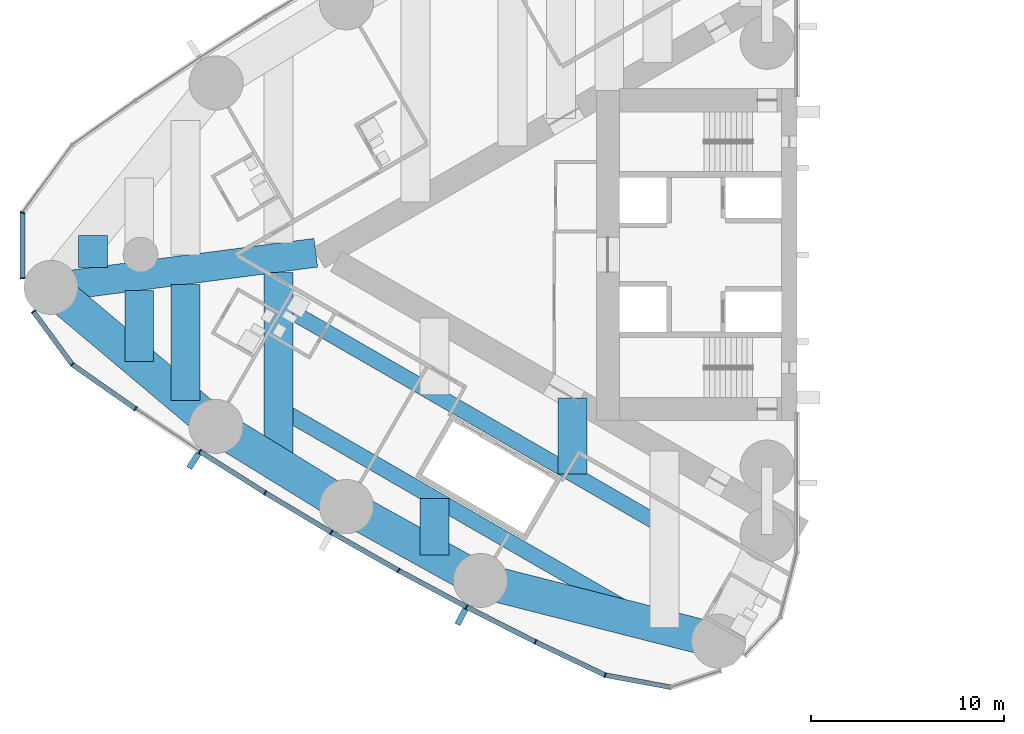
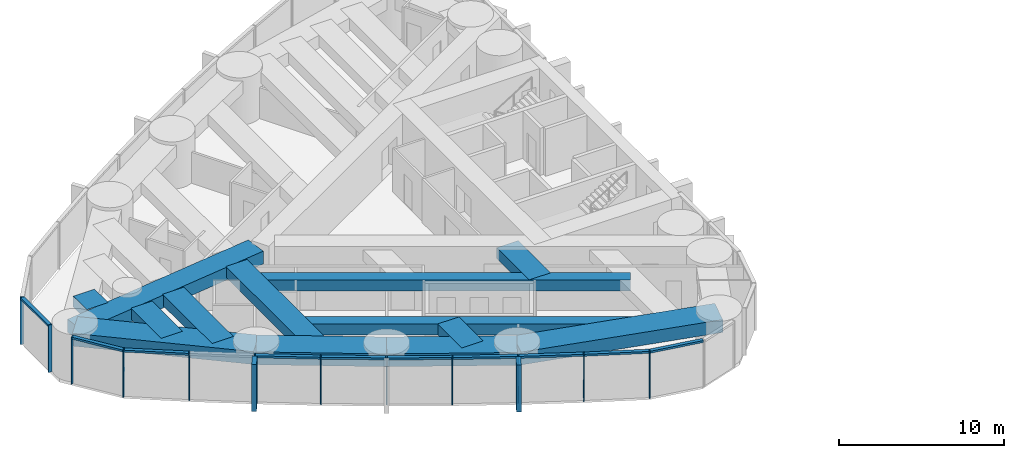
# One storey, part 2 of 18: 24 members, 13 beams, 2 elements without a shape of their own.
"""IFC4 building model written with IfcOpenShell, lengths in metres."""

import ifcopenshell
import ifcopenshell.guid

model = None  # the IFC model being written
_history = None  # IfcOwnerHistory: only IFC2X3 demands one
_inside = {}  # id of a spatial element -> (the spatial element, [elements in it])
_under = {}  # id of a project, library or spatial element -> (it, [spatial elements below it])
_declared = {}  # id of a project -> (the project, [libraries it declares])
_typed = {}  # id of a type object -> (the type object, [elements of that type])
_made_of = {}  # id of a material, layer set ... -> (it, [elements and type objects made of it])


def new_model(schema):
    """Start an empty IFC model of exactly this schema.

    Asked for "IFC4X3", IfcOpenShell would pick the latest addendum, in which some entities
    have other attributes; the version numbers below select the first issue.
    IFC2X3 requires an IfcOwnerHistory on every rooted entity: one is made here for all.
    """
    global model, _history
    if schema == "IFC4X3":
        model = ifcopenshell.file(schema_version=(4, 3, 0, 0))
    else:
        model = ifcopenshell.file(schema=schema)
    _inside.clear()
    _under.clear()
    _declared.clear()
    _typed.clear()
    _made_of.clear()
    _history = None
    if model.schema == "IFC2X3":
        org = make("IfcOrganization", Name="unknown")
        user = make(
            "IfcPersonAndOrganization",
            ThePerson=make("IfcPerson", FamilyName="unknown"),
            TheOrganization=org,
        )
        app = make(
            "IfcApplication",
            ApplicationDeveloper=org,
            Version="unknown",
            ApplicationFullName="unknown",
            ApplicationIdentifier="unknown",
        )
        _history = make(
            "IfcOwnerHistory",
            OwningUser=user,
            OwningApplication=app,
            ChangeAction="ADDED",
            CreationDate=0,
        )
    return model


def make(cls, **values):
    """One entity of the class cls with the attributes given. An attribute that is None is left unset."""
    return model.create_entity(
        cls, **{name: value for name, value in values.items() if value is not None}
    )


def rooted(cls, **values):
    """An entity with a GlobalId (a new one), such as an element, a storey or a relation."""
    return make(cls, GlobalId=ifcopenshell.guid.new(), OwnerHistory=_history, **values)


def si_unit(unit_type, name, prefix=None):
    """IfcSIUnit, for example si_unit("LENGTHUNIT", "METRE", prefix="MILLI")."""
    return make("IfcSIUnit", UnitType=unit_type, Prefix=prefix, Name=name)


def assignment(units):
    """IfcUnitAssignment: the units of a project."""
    return None if units is None else make("IfcUnitAssignment", Units=units)


def point(xyz):
    """IfcCartesianPoint."""
    return None if xyz is None else make("IfcCartesianPoint", Coordinates=xyz)


def direction(xyz):
    """IfcDirection."""
    return None if xyz is None else make("IfcDirection", DirectionRatios=xyz)


def frame(location, z_axis=None, x_axis=None):
    """IfcAxis2Placement3D, a coordinate frame: its origin and axes. An axis left out is left unset."""
    return make(
        "IfcAxis2Placement3D",
        Location=point(location),
        Axis=direction(z_axis),
        RefDirection=direction(x_axis),
    )


def frame_2d(location, x_axis=None):
    """IfcAxis2Placement2D, a coordinate frame in the plane: its origin and x axis."""
    return make(
        "IfcAxis2Placement2D", Location=point(location), RefDirection=direction(x_axis)
    )


def origin():
    """The frame at (0, 0, 0) with its axes left unset."""
    return frame((0.0, 0.0, 0.0))


def origin_2d():
    """The frame at (0, 0) in the plane with its x axis left unset."""
    return frame_2d((0.0, 0.0))


def place(relative_to, where):
    """IfcLocalPlacement: puts the frame where relative to a parent placement (None: the world)."""
    return make(
        "IfcLocalPlacement", PlacementRelTo=relative_to, RelativePlacement=where
    )


def context(
    kind, dimensions, precision=None, world=None, true_north=None, identifier=None
):
    """IfcGeometricRepresentationContext, for example the 3D "Model" context."""
    return make(
        "IfcGeometricRepresentationContext",
        ContextIdentifier=identifier,
        ContextType=kind,
        CoordinateSpaceDimension=dimensions,
        Precision=precision,
        WorldCoordinateSystem=world,
        TrueNorth=true_north,
    )


def subcontext(parent, identifier, kind, view, scale=None):
    """IfcGeometricRepresentationSubContext, for example "Body" below "Model"."""
    return make(
        "IfcGeometricRepresentationSubContext",
        ContextIdentifier=identifier,
        ContextType=kind,
        ParentContext=parent,
        TargetScale=scale,
        TargetView=view,
    )


def project(units=None, contexts=None):
    """IfcProject with its units and contexts."""
    return rooted(
        "IfcProject",
        Name="project",
        RepresentationContexts=contexts,
        UnitsInContext=assignment(units),
    )


def spatial(cls, under=None, at=None, **own):
    """A site, building, storey or space (cls), placed at a placement, below another one or the project."""
    s = rooted(cls, ObjectPlacement=at, **own)
    if under is not None:
        _under.setdefault(under.id(), (under, []))[1].append(s)
    return s


def profile(cls, at=None, kind="AREA", **sizes):
    """A parametric profile (cls). Its sizes go by their IFC names, for example OverallWidth=200.0."""
    return make(cls, ProfileType=kind, Position=at, **sizes)


def rectangle(**sizes):
    """IfcRectangleProfileDef."""
    return profile("IfcRectangleProfileDef", **sizes)


def hollow_rectangle(**sizes):
    """IfcRectangleHollowProfileDef."""
    return profile("IfcRectangleHollowProfileDef", **sizes)


def extrude(swept, where, along, depth):
    """IfcExtrudedAreaSolid: the profile swept, set in the frame where, extruded along a direction by depth."""
    return make(
        "IfcExtrudedAreaSolid",
        SweptArea=swept,
        Position=where,
        ExtrudedDirection=direction(along),
        Depth=depth,
    )


def shape(context_of_items, identifier, shape_type, items):
    """IfcShapeRepresentation: the items that make up one representation, for example the "Body"."""
    return make(
        "IfcShapeRepresentation",
        ContextOfItems=context_of_items,
        RepresentationIdentifier=identifier,
        RepresentationType=shape_type,
        Items=items,
    )


def material(Name=None, Category=None):
    """IfcMaterial."""
    return make("IfcMaterial", Name=Name, Category=Category)


def material_profile(
    of_material, cross_section, Name=None, Category=None, Priority=None
):
    """IfcMaterialProfile: a cross section and its material."""
    return make(
        "IfcMaterialProfile",
        Name=Name,
        Material=of_material,
        Profile=cross_section,
        Priority=Priority,
        Category=Category,
    )


def profile_set(profiles, Name=None, composite=None):
    """IfcMaterialProfileSet."""
    return make(
        "IfcMaterialProfileSet",
        Name=Name,
        MaterialProfiles=profiles,
        CompositeProfile=composite,
    )


def made_of(thing, what):
    """Note that an element or type object is made of a material, layer set ...; save() writes the relation."""
    if what is not None:
        _made_of.setdefault(what.id(), (what, []))[1].append(thing)
    return thing


def type_object(cls, material=None, **own):
    """A type object (cls), such as IfcWallType, which elements share."""
    return made_of(rooted(cls, **own), material)


def element(
    cls,
    number,
    at=None,
    inside=None,
    cuts=None,
    type_object=None,
    material=None,
    context=None,
    identifier="Body",
    shape_type=None,
    held_by="IfcProductDefinitionShape",
    body=None,
    shapes=None,
    **own,
):
    """One element of the class cls, such as IfcWall. Its Tag is "e" and its number.

    at: its placement. inside: the storey or other place that contains it. cuts: it is an
    opening in that element (IfcRelVoidsElement). A single representation is given by context,
    identifier, shape_type and body (its items); several are given by shapes. held_by: the class
    of the entity that holds the representations. save() writes the other relations.
    """
    e = rooted(cls, Tag="e%d" % number, ObjectPlacement=at, **own)
    if body is not None:
        shapes = [shape(context, identifier, shape_type, body)]
    if shapes is not None:
        e.Representation = make(held_by, Representations=shapes)
    if inside is not None:
        _inside.setdefault(inside.id(), (inside, []))[1].append(e)
    if cuts is not None:
        rooted(
            "IfcRelVoidsElement", RelatingBuildingElement=cuts, RelatedOpeningElement=e
        )
    if type_object is not None:
        _typed.setdefault(type_object.id(), (type_object, []))[1].append(e)
    return made_of(e, material)


def aggregate(whole, parts):
    """IfcRelAggregates: a whole, such as a stair, and the parts it consists of."""
    return rooted("IfcRelAggregates", RelatingObject=whole, RelatedObjects=parts)


def save(model, path):
    """Write the relations noted so far, then the file.

    IfcRelAggregates (storeys below a building ...), IfcRelContainedInSpatialStructure (elements
    in a storey), IfcRelDefinesByType, IfcRelAssociatesMaterial and IfcRelDeclares: one each for
    every whole, place, type object, material and project.
    """
    for whole, parts in _under.values():
        aggregate(whole, parts)
    for where, things in _inside.values():
        rooted(
            "IfcRelContainedInSpatialStructure",
            RelatedElements=things,
            RelatingStructure=where,
        )
    for kind, things in _typed.values():
        rooted("IfcRelDefinesByType", RelatedObjects=things, RelatingType=kind)
    for what, things in _made_of.values():
        rooted("IfcRelAssociatesMaterial", RelatedObjects=things, RelatingMaterial=what)
    for by, libraries in _declared.values():
        rooted("IfcRelDeclares", RelatingContext=by, RelatedDefinitions=libraries)
    model.write(path)


model = new_model("IFC4")

# Units and contexts
model_context = context("Model", 3, precision=1e-05, world=origin(), true_north=direction((0.0, 1.0)))
body_context = subcontext(model_context, "Body", "Model", "MODEL_VIEW")
ifc_project = project(units=[si_unit("LENGTHUNIT", "METRE"), si_unit("AREAUNIT", "SQUARE_METRE"), si_unit("VOLUMEUNIT", "CUBIC_METRE"), si_unit("PLANEANGLEUNIT", "RADIAN"), si_unit("MASSUNIT", "GRAM", prefix="KILO")], contexts=[model_context])

# Site, building, storey
site_placement = place(None, origin())
site = spatial("IfcSite", under=ifc_project, at=site_placement, CompositionType="ELEMENT")
building_placement = place(site_placement, origin())
building = spatial("IfcBuilding", under=site, at=building_placement, Name="Lancet Gate Hotel", CompositionType="ELEMENT")
storey_placement = place(building_placement, frame((0.0, 0.0, 187.800048828125)))
storey = spatial("IfcBuildingStorey", under=building, at=storey_placement, Name="L50", CompositionType="ELEMENT", Elevation=187.800048828125)

# Curtain wall, members
ifc_material_1 = material(Name="Aluminium curtain wall", Category="aluminium")
curtain_wall_type = type_object("IfcCurtainWallType", Name="Tower unitised curtain wall", PredefinedType="USERDEFINED", material=ifc_material_1)
curtain_wall_1_placement = place(storey_placement, origin())
curtain_wall_1 = element("IfcCurtainWall", 1, at=curtain_wall_1_placement, inside=storey, type_object=curtain_wall_type, Name="T1 L50 curtain wall 2", ObjectType="UNITISED CURTAIN WALL", PredefinedType="USERDEFINED")
ifc_material_2 = material(Name="Aluminium mullion", Category="aluminium")
ifc_material_profile_1 = material_profile(ifc_material_2, rectangle(XDim=0.06494140625, YDim=0.25, at=origin_2d()), Name="MULLION 65x250")
ifc_profile_set_1 = profile_set([ifc_material_profile_1], Name="Aluminium mullion")
member_type_1 = type_object("IfcMemberType", Name="Aluminium mullion 65x250", PredefinedType="MULLION", material=ifc_profile_set_1)
member_1_placement = place(storey_placement, frame((-67.61572265625, 2.177490234375, 0.0), z_axis=(0.0, 0.0, 1.0), x_axis=(-0.349199411078, -0.937048435943, 0.0)))
member_1 = element("IfcMember", 2, at=member_1_placement, type_object=member_type_1, Name="T1 L50 curtain wall 2 mullion 12", PredefinedType="MULLION", context=body_context, shape_type="SweptSolid", body=[
    extrude(rectangle(XDim=0.06494140625, YDim=0.25, at=origin_2d()), origin(), (0.0, 0.0, 1.0), 3.5),
])
member_2_placement = place(storey_placement, frame((-67.61572265625, -1.220458984375, 0.0), z_axis=(0.0, 0.0, 1.0), x_axis=(0.0, -1.0, 0.0)))
member_2 = element("IfcMember", 3, at=member_2_placement, type_object=member_type_1, Name="T1 L50 curtain wall 2 mullion 13", PredefinedType="MULLION", context=body_context, shape_type="SweptSolid", body=[
    extrude(rectangle(XDim=0.06494140625, YDim=0.25, at=origin_2d()), origin(), (0.0, 0.0, 1.0), 3.5),
])

curtain_wall_2_placement = place(storey_placement, origin())
curtain_wall_2 = element("IfcCurtainWall", 4, at=curtain_wall_2_placement, inside=storey, type_object=curtain_wall_type, Name="T1 L50 curtain wall 3", ObjectType="UNITISED CURTAIN WALL", PredefinedType="USERDEFINED")
member_3_placement = place(storey_placement, frame((-67.05029296875, -2.948486328125, 0.0), z_axis=(0.0, 0.0, 1.0), x_axis=(0.591299785592, -0.806451835858, 0.0)))
member_3 = element("IfcMember", 5, at=member_3_placement, type_object=member_type_1, Name="T1 L50 curtain wall 3 mullion 1", PredefinedType="MULLION", context=body_context, shape_type="SweptSolid", body=[
    extrude(rectangle(XDim=0.06494140625, YDim=0.25, at=origin_2d()), origin(), (0.0, 0.0, 1.0), 3.5),
])
member_4_placement = place(storey_placement, frame((-65.040283203125, -5.68994140625, 0.0), z_axis=(0.0, 0.0, 1.0), x_axis=(0.724381882759, -0.689398932354, 0.0)))
member_4 = element("IfcMember", 6, at=member_4_placement, type_object=member_type_1, Name="T1 L50 curtain wall 3 mullion 2", PredefinedType="MULLION", context=body_context, shape_type="SweptSolid", body=[
    extrude(rectangle(XDim=0.06494140625, YDim=0.25, at=origin_2d()), origin(), (0.0, 0.0, 1.0), 3.5),
])
member_5_placement = place(storey_placement, frame((-61.7626953125, -7.980712890625, 0.0), z_axis=(0.0, 0.0, 1.0), x_axis=(0.826312172542, -0.563212387568, 0.0)))
member_5 = element("IfcMember", 7, at=member_5_placement, type_object=member_type_1, Name="T1 L50 curtain wall 3 mullion 3", PredefinedType="MULLION", context=body_context, shape_type="SweptSolid", body=[
    extrude(rectangle(XDim=0.06494140625, YDim=0.25, at=origin_2d()), origin(), (0.0, 0.0, 1.0), 3.5),
])
member_6_placement = place(storey_placement, frame((-58.43212890625, -10.194091796875, 0.0), z_axis=(0.0, 0.0, 1.0), x_axis=(0.839331119324, -0.54362052218, 0.0)))
member_6 = element("IfcMember", 8, at=member_6_placement, type_object=member_type_1, Name="T1 L50 curtain wall 3 mullion 4", PredefinedType="MULLION", context=body_context, shape_type="SweptSolid", body=[
    extrude(rectangle(XDim=0.06494140625, YDim=0.25, at=origin_2d()), origin(), (0.0, 0.0, 1.0), 3.5),
])
member_7_placement = place(storey_placement, frame((-55.05029296875, -12.328369140625, 0.0), z_axis=(0.0, 0.0, 1.0), x_axis=(0.851885635531, -0.52372785297, 0.0)))
member_7 = element("IfcMember", 9, at=member_7_placement, type_object=member_type_1, Name="T1 L50 curtain wall 3 mullion 5", PredefinedType="MULLION", context=body_context, shape_type="SweptSolid", body=[
    extrude(rectangle(XDim=0.06494140625, YDim=0.25, at=origin_2d()), origin(), (0.0, 0.0, 1.0), 3.5),
])
member_8_placement = place(storey_placement, frame((-51.619384765625, -14.38232421875, 0.0), z_axis=(0.0, 0.0, 1.0), x_axis=(0.863968774311, -0.503545387245, 0.0)))
member_8 = element("IfcMember", 10, at=member_8_placement, type_object=member_type_1, Name="T1 L50 curtain wall 3 mullion 6", PredefinedType="MULLION", context=body_context, shape_type="SweptSolid", body=[
    extrude(rectangle(XDim=0.06494140625, YDim=0.25, at=origin_2d()), origin(), (0.0, 0.0, 1.0), 3.5),
])
member_9_placement = place(storey_placement, frame((-48.140869140625, -16.355224609375, 0.0), z_axis=(0.0, 0.0, 1.0), x_axis=(0.87557384965, -0.483084292654, 0.0)))
member_9 = element("IfcMember", 11, at=member_9_placement, type_object=member_type_1, Name="T1 L50 curtain wall 3 mullion 7", PredefinedType="MULLION", context=body_context, shape_type="SweptSolid", body=[
    extrude(rectangle(XDim=0.06494140625, YDim=0.25, at=origin_2d()), origin(), (0.0, 0.0, 1.0), 3.5),
])
member_10_placement = place(storey_placement, frame((-44.6171875, -18.245849609375, 0.0), z_axis=(0.0, 0.0, 1.0), x_axis=(0.886694440064, -0.462355891019, 0.0)))
member_10 = element("IfcMember", 12, at=member_10_placement, type_object=member_type_1, Name="T1 L50 curtain wall 3 mullion 8", PredefinedType="MULLION", context=body_context, shape_type="SweptSolid", body=[
    extrude(rectangle(XDim=0.06494140625, YDim=0.25, at=origin_2d()), origin(), (0.0, 0.0, 1.0), 3.5),
])
member_11_placement = place(storey_placement, frame((-41.0498046875, -20.052978515625, 0.0), z_axis=(0.0, 0.0, 1.0), x_axis=(0.897324392142, -0.441371652088, 0.0)))
member_11 = element("IfcMember", 13, at=member_11_placement, type_object=member_type_1, Name="T1 L50 curtain wall 3 mullion 9", PredefinedType="MULLION", context=body_context, shape_type="SweptSolid", body=[
    extrude(rectangle(XDim=0.06494140625, YDim=0.25, at=origin_2d()), origin(), (0.0, 0.0, 1.0), 3.5),
])
member_12_placement = place(storey_placement, frame((-37.44091796875, -21.775634765625, 0.0), z_axis=(0.0, 0.0, 1.0), x_axis=(0.948119321052, -0.317914694609, 0.0)))
member_12 = element("IfcMember", 14, at=member_12_placement, type_object=member_type_1, Name="T1 L50 curtain wall 3 mullion 10", PredefinedType="MULLION", context=body_context, shape_type="SweptSolid", body=[
    extrude(rectangle(XDim=0.06494140625, YDim=0.25, at=origin_2d()), origin(), (0.0, 0.0, 1.0), 3.5),
])

# Member
ifc_material_3 = material(Name="Aluminium transom", Category="aluminium")
ifc_material_profile_2 = material_profile(ifc_material_3, rectangle(XDim=0.25, YDim=0.14990234375, at=origin_2d()), Name="TRANSOM 250x150")
ifc_profile_set_2 = profile_set([ifc_material_profile_2], Name="Aluminium transom")
member_type_2 = type_object("IfcMemberType", Name="Aluminium transom 250x150", PredefinedType="USERDEFINED", material=ifc_profile_set_2)
member_13_placement = place(storey_placement, frame((-67.61572265625, 2.14501953125, 3.425048828125), z_axis=(0.0, -1.0, 0.0), x_axis=(1.0, 0.0, 0.0)))
member_13 = element("IfcMember", 15, at=member_13_placement, type_object=member_type_2, Name="T1 L50 curtain wall 2 transom 12", ObjectType="TRANSOM", PredefinedType="USERDEFINED", context=body_context, shape_type="SweptSolid", body=[
    extrude(rectangle(XDim=0.25, YDim=0.14990234375, at=origin_2d()), origin(), (0.0, 0.0, 1.0), 3.3330078125),
])

aggregate(curtain_wall_1, [member_1, member_2, member_13])

member_14_placement = place(storey_placement, frame((-67.031005859375, -2.974853515625, 3.425048828125), z_axis=(0.591306519832, -0.806446898193, 0.0), x_axis=(0.806446898193, 0.591306519832, 0.0)))
member_14 = element("IfcMember", 16, at=member_14_placement, type_object=member_type_2, Name="T1 L50 curtain wall 3 transom 1", ObjectType="TRANSOM", PredefinedType="USERDEFINED", context=body_context, shape_type="SweptSolid", body=[
    extrude(rectangle(XDim=0.25, YDim=0.14990234375, at=origin_2d()), origin(), (0.0, 0.0, 1.0), 3.333984375),
])

member_15_placement = place(storey_placement, frame((-65.013671875, -5.70849609375, 3.425048828125), z_axis=(0.819636985462, -0.572883244704, 0.0), x_axis=(0.572883244704, 0.819636985462, 0.0)))
member_15 = element("IfcMember", 17, at=member_15_placement, type_object=member_type_2, Name="T1 L50 curtain wall 3 transom 2", ObjectType="TRANSOM", PredefinedType="USERDEFINED", context=body_context, shape_type="SweptSolid", body=[
    extrude(rectangle(XDim=0.25, YDim=0.14990234375, at=origin_2d()), origin(), (0.0, 0.0, 1.0), 3.933837890625),
])

member_16_placement = place(storey_placement, frame((-58.40478515625, -10.21142578125, 3.425048828125), z_axis=(0.845671711095, -0.53370343549, 0.0), x_axis=(0.53370343549, 0.845671711095, 0.0)))
member_16 = element("IfcMember", 18, at=member_16_placement, type_object=member_type_2, Name="T1 L50 curtain wall 3 transom 4", ObjectType="TRANSOM", PredefinedType="USERDEFINED", context=body_context, shape_type="SweptSolid", body=[
    extrude(rectangle(XDim=0.25, YDim=0.14990234375, at=origin_2d()), origin(), (0.0, 0.0, 1.0), 3.93408203125),
])

member_17_placement = place(storey_placement, frame((-55.0224609375, -12.344970703125, 3.425048828125), z_axis=(0.857985365092, -0.513674131419, 0.0), x_axis=(0.513674131419, 0.857985365092, 0.0)))
member_17 = element("IfcMember", 19, at=member_17_placement, type_object=member_type_2, Name="T1 L50 curtain wall 3 transom 5", ObjectType="TRANSOM", PredefinedType="USERDEFINED", context=body_context, shape_type="SweptSolid", body=[
    extrude(rectangle(XDim=0.25, YDim=0.14990234375, at=origin_2d()), origin(), (0.0, 0.0, 1.0), 3.933837890625),
])

member_18_placement = place(storey_placement, frame((-51.591064453125, -14.3984375, 3.425048828125), z_axis=(0.869819807367, -0.493369539709, 0.0), x_axis=(0.493369539709, 0.869819807367, 0.0)))
member_18 = element("IfcMember", 20, at=member_18_placement, type_object=member_type_2, Name="T1 L50 curtain wall 3 transom 6", ObjectType="TRANSOM", PredefinedType="USERDEFINED", context=body_context, shape_type="SweptSolid", body=[
    extrude(rectangle(XDim=0.25, YDim=0.14990234375, at=origin_2d()), origin(), (0.0, 0.0, 1.0), 3.93408203125),
])

member_19_placement = place(storey_placement, frame((-48.1123046875, -16.37060546875, 3.425048828125), z_axis=(0.881185491994, -0.472770693571, 0.0), x_axis=(0.472770693571, 0.881185491994, 0.0)))
member_19 = element("IfcMember", 21, at=member_19_placement, type_object=member_type_2, Name="T1 L50 curtain wall 3 transom 7", ObjectType="TRANSOM", PredefinedType="USERDEFINED", context=body_context, shape_type="SweptSolid", body=[
    extrude(rectangle(XDim=0.25, YDim=0.14990234375, at=origin_2d()), origin(), (0.0, 0.0, 1.0), 3.93408203125),
])

member_20_placement = place(storey_placement, frame((-44.588134765625, -18.260498046875, 3.425048828125), z_axis=(0.892081477453, -0.451874581699, 0.0), x_axis=(0.451874581699, 0.892081477453, 0.0)))
member_20 = element("IfcMember", 22, at=member_20_placement, type_object=member_type_2, Name="T1 L50 curtain wall 3 transom 8", ObjectType="TRANSOM", PredefinedType="USERDEFINED", context=body_context, shape_type="SweptSolid", body=[
    extrude(rectangle(XDim=0.25, YDim=0.14990234375, at=origin_2d()), origin(), (0.0, 0.0, 1.0), 3.933837890625),
])

member_21_placement = place(storey_placement, frame((-41.0205078125, -20.06689453125, 3.425048828125), z_axis=(0.902468975385, -0.430754858902, 0.0), x_axis=(0.430754858902, 0.902468975385, 0.0)))
member_21 = element("IfcMember", 23, at=member_21_placement, type_object=member_type_2, Name="T1 L50 curtain wall 3 transom 9", ObjectType="TRANSOM", PredefinedType="USERDEFINED", context=body_context, shape_type="SweptSolid", body=[
    extrude(rectangle(XDim=0.25, YDim=0.14990234375, at=origin_2d()), origin(), (0.0, 0.0, 1.0), 3.93408203125),
])

member_22_placement = place(storey_placement, frame((-37.408935546875, -21.781494140625, 3.425048828125), z_axis=(0.983286757871, -0.182063592724, 0.0), x_axis=(0.182063592724, 0.983286757871, 0.0)))
member_22 = element("IfcMember", 24, at=member_22_placement, type_object=member_type_2, Name="T1 L50 curtain wall 3 transom 10", ObjectType="TRANSOM", PredefinedType="USERDEFINED", context=body_context, shape_type="SweptSolid", body=[
    extrude(rectangle(XDim=0.25, YDim=0.14990234375, at=origin_2d()), origin(), (0.0, 0.0, 1.0), 3.406005859375),
])

# Beams
ifc_material_4 = material(Name="Concrete C50/60", Category="concrete")
ifc_material_profile_3 = material_profile(ifc_material_4, rectangle(XDim=1.800048828125, YDim=0.949951171875, at=origin_2d()), Name="RC 1800x950")
ifc_profile_set_3 = profile_set([ifc_material_profile_3], Name="Concrete C50/60")
beam_type_1 = type_object("IfcBeamType", Name="Edge beam RC 1800x950", PredefinedType="SPANDREL", material=ifc_profile_set_3)
beam_1_placement = place(storey_placement, frame((-66.142578125, -1.6953125, 2.77490234375), z_axis=(0.765120708367, -0.64388687021, 0.0), x_axis=(0.64388687021, 0.765120708367, 0.0)))
element("IfcBeam", 25, at=beam_1_placement, inside=storey, type_object=beam_type_1, Name="T1 edge beam EB1 L50", PredefinedType="SPANDREL", context=body_context, shape_type="SweptSolid", body=[
    extrude(rectangle(XDim=1.800048828125, YDim=0.949951171875, at=origin_2d()), origin(), (0.0, 0.0, 1.0), 11.1787109375),
])
beam_2_placement = place(storey_placement, frame((-57.589599609375, -8.89306640625, 2.77490234375), z_axis=(0.851892008043, -0.523717487423, 0.0), x_axis=(0.523717487423, 0.851892008043, 0.0)))
element("IfcBeam", 26, at=beam_2_placement, inside=storey, type_object=beam_type_1, Name="T1 edge beam EB1 L50", PredefinedType="SPANDREL", context=body_context, shape_type="SweptSolid", body=[
    extrude(rectangle(XDim=1.800048828125, YDim=0.949951171875, at=origin_2d()), origin(), (0.0, 0.0, 1.0), 7.92431640625),
])
beam_3_placement = place(storey_placement, frame((-50.8388671875, -13.043212890625, 2.77490234375), z_axis=(0.875577684027, -0.483077342911, 0.0), x_axis=(0.483077342911, 0.875577684027, 0.0)))
element("IfcBeam", 27, at=beam_3_placement, inside=storey, type_object=beam_type_1, Name="T1 edge beam EB1 L50", PredefinedType="SPANDREL", context=body_context, shape_type="SweptSolid", body=[
    extrude(rectangle(XDim=1.800048828125, YDim=0.949951171875, at=origin_2d()), origin(), (0.0, 0.0, 1.0), 7.924560546875),
])
beam_4_placement = place(storey_placement, frame((-43.900390625, -16.871337890625, 2.77490234375), z_axis=(0.969008414312, -0.247027717052, 0.0), x_axis=(0.247027717052, 0.969008414312, 0.0)))
element("IfcBeam", 28, at=beam_4_placement, inside=storey, type_object=beam_type_1, Name="T1 edge beam EB1 L50", PredefinedType="SPANDREL", context=body_context, shape_type="SweptSolid", body=[
    extrude(rectangle(XDim=1.800048828125, YDim=0.949951171875, at=origin_2d()), origin(), (0.0, 0.0, 1.0), 12.7294921875),
])

# Member
ifc_material_5 = material(Name="Precast concrete C50/60", Category="concrete")
ifc_material_profile_4 = material_profile(ifc_material_5, rectangle(XDim=0.300048828125, YDim=0.89990234375, at=origin_2d()), Name="FIN 300x900")
ifc_profile_set_4 = profile_set([ifc_material_profile_4], Name="Precast concrete C50/60")
member_type_3 = type_object("IfcMemberType", Name="Exposed concrete fin 300x900", PredefinedType="USERDEFINED", material=ifc_profile_set_4)
member_23_placement = place(storey_placement, frame((-58.74462890625, -10.6767578125, 0.0), z_axis=(0.0, 0.0, 1.0), x_axis=(0.839331119324, -0.54362052218, 0.0)))
member_23 = element("IfcMember", 29, at=member_23_placement, type_object=member_type_3, Name="T1 L50 curtain wall 3 fin 4", ObjectType="FIN", PredefinedType="USERDEFINED", context=body_context, shape_type="SweptSolid", body=[
    extrude(rectangle(XDim=0.300048828125, YDim=0.89990234375, at=origin_2d()), origin(), (0.0, 0.0, 1.0), 3.5),
])

member_24_placement = place(storey_placement, frame((-44.883056640625, -18.755615234375, 0.0), z_axis=(0.0, 0.0, 1.0), x_axis=(0.886694440064, -0.462355891019, 0.0)))
member_24 = element("IfcMember", 30, at=member_24_placement, type_object=member_type_3, Name="T1 L50 curtain wall 3 fin 8", ObjectType="FIN", PredefinedType="USERDEFINED", context=body_context, shape_type="SweptSolid", body=[
    extrude(rectangle(XDim=0.300048828125, YDim=0.89990234375, at=origin_2d()), origin(), (0.0, 0.0, 1.0), 3.5),
])

aggregate(curtain_wall_2, [member_3, member_4, member_5, member_6, member_23, member_7, member_8, member_9, member_10, member_24, member_11, member_12, member_14, member_15, member_16, member_17, member_18, member_19, member_20, member_21, member_22])

# Beams
ifc_material_6 = material(Name="Concrete C50/60", Category="concrete")
ifc_material_profile_5 = material_profile(ifc_material_6, rectangle(XDim=1.5, YDim=0.800048828125, at=origin_2d()), Name="RC 1500x800")
ifc_profile_set_5 = profile_set([ifc_material_profile_5], Name="Concrete C50/60")
beam_type_2 = type_object("IfcBeamType", Name="Floor beam RC 1500x800", PredefinedType="BEAM", material=ifc_profile_set_5)
beam_5_placement = place(storey_placement, frame((-54.3681640625, -0.9130859375, 2.849853515625), z_axis=(0.0, -1.0, 0.0), x_axis=(1.0, 0.0, 0.0)))
element("IfcBeam", 31, at=beam_5_placement, inside=storey, type_object=beam_type_2, Name="T1 floor beam F11N L50", PredefinedType="BEAM", context=body_context, shape_type="SweptSolid", body=[
    extrude(rectangle(XDim=1.5, YDim=0.800048828125, at=origin_2d()), origin(), (0.0, 0.0, 1.0), 9.96044921875),
])
beam_6_placement = place(storey_placement, frame((-59.168212890625, -1.54052734375, 2.849853515625), z_axis=(0.0, -1.0, 0.0), x_axis=(1.0, 0.0, 0.0)))
element("IfcBeam", 32, at=beam_6_placement, inside=storey, type_object=beam_type_2, Name="T1 floor beam F13N L50", PredefinedType="BEAM", context=body_context, shape_type="SweptSolid", body=[
    extrude(rectangle(XDim=1.5, YDim=0.800048828125, at=origin_2d()), origin(), (0.0, 0.0, 1.0), 6.02392578125),
])
beam_7_placement = place(storey_placement, frame((-61.568359375, -1.85400390625, 2.849853515625), z_axis=(0.0, -1.0, 0.0), x_axis=(1.0, 0.0, 0.0)))
element("IfcBeam", 33, at=beam_7_placement, inside=storey, type_object=beam_type_2, Name="T1 floor beam F15N L50", PredefinedType="BEAM", context=body_context, shape_type="SweptSolid", body=[
    extrude(rectangle(XDim=1.5, YDim=0.800048828125, at=origin_2d()), origin(), (0.0, 0.0, 1.0), 3.69091796875),
])
beam_8_placement = place(storey_placement, frame((-63.96826171875, 0.996337890625, 2.849853515625), z_axis=(0.0, -1.0, 0.0), x_axis=(1.0, 0.0, 0.0)))
element("IfcBeam", 34, at=beam_8_placement, inside=storey, type_object=beam_type_2, Name="T1 floor beam F16S L50", PredefinedType="BEAM", context=body_context, shape_type="SweptSolid", body=[
    extrude(rectangle(XDim=1.5, YDim=0.800048828125, at=origin_2d()), origin(), (0.0, 0.0, 1.0), 1.6513671875),
])
beam_9_placement = place(storey_placement, frame((-39.122314453125, -7.41650390625, 2.849853515625), z_axis=(0.0, -1.0, 0.0), x_axis=(1.0, 0.0, 0.0)))
element("IfcBeam", 35, at=beam_9_placement, inside=storey, type_object=beam_type_2, Name="T1 floor beam F05NA L50", PredefinedType="BEAM", context=body_context, shape_type="SweptSolid", body=[
    extrude(rectangle(XDim=1.5, YDim=0.800048828125, at=origin_2d()), origin(), (0.0, 0.0, 1.0), 3.945556640625),
])
beam_10_placement = place(storey_placement, frame((-46.27587890625, -12.61962890625, 2.849853515625), z_axis=(0.0, -1.0, 0.0), x_axis=(1.0, 0.0, 0.0)))
element("IfcBeam", 36, at=beam_10_placement, inside=storey, type_object=beam_type_2, Name="T1 floor beam F08NB L50", PredefinedType="BEAM", context=body_context, shape_type="SweptSolid", body=[
    extrude(rectangle(XDim=1.5, YDim=0.800048828125, at=origin_2d()), origin(), (0.0, 0.0, 1.0), 2.941162109375),
])
ifc_material_7 = material(Name="Concrete C50/60", Category="concrete")
ifc_material_profile_6 = material_profile(ifc_material_7, rectangle(XDim=1.5, YDim=0.949951171875, at=origin_2d()), Name="RC 1500x950")
ifc_profile_set_6 = profile_set([ifc_material_profile_6], Name="Concrete C50/60")
beam_type_3 = type_object("IfcBeamType", Name="Radial floor beam RC 1500x950", PredefinedType="BEAM", material=ifc_profile_set_6)
beam_11_placement = place(storey_placement, frame((-66.142578125, -1.6953125, 2.77490234375), z_axis=(0.991571259053, 0.129562487702, 0.0), x_axis=(-0.129562487702, 0.991571259053, 0.0)))
element("IfcBeam", 37, at=beam_11_placement, inside=storey, type_object=beam_type_3, Name="T1 radial beam CA L50", PredefinedType="BEAM", context=body_context, shape_type="SweptSolid", body=[
    extrude(rectangle(XDim=1.5, YDim=0.949951171875, at=origin_2d()), origin(), (0.0, 0.0, 1.0), 13.8349609375),
])
ifc_material_8 = material(Name="Steel S460QL", Category="steel")
ifc_material_profile_7 = material_profile(ifc_material_8, hollow_rectangle(XDim=0.800048828125, YDim=0.800048828125, WallThickness=0.080078125, at=origin_2d()), Name="BOX 800x800x80")
ifc_profile_set_7 = profile_set([ifc_material_profile_7], Name="Steel S460QL")
beam_type_4 = type_object("IfcBeamType", Name="Trimmer beam BOX 800x800x80", PredefinedType="BEAM", material=ifc_profile_set_7)
beam_12_placement = place(storey_placement, frame((-34.353515625, -14.115234375, 2.849853515625), z_axis=(-0.866035353112, 0.499982766863, 0.0), x_axis=(-0.499982766863, -0.866035353112, 0.0)))
element("IfcBeam", 38, at=beam_12_placement, inside=storey, type_object=beam_type_4, Name="T1 trimmer beam TR01N L50", PredefinedType="BEAM", context=body_context, shape_type="SweptSolid", body=[
    extrude(hollow_rectangle(XDim=0.800048828125, YDim=0.800048828125, WallThickness=0.080078125, at=origin_2d()), origin(), (0.0, 0.0, 1.0), 23.110595703125),
])
beam_13_placement = place(storey_placement, frame((-34.966552734375, -19.14892578125, 2.849853515625), z_axis=(-0.866032239169, 0.499988160579, 0.0), x_axis=(-0.499988160579, -0.866032239169, 0.0)))
element("IfcBeam", 39, at=beam_13_placement, inside=storey, type_object=beam_type_4, Name="T1 trimmer beam TR02N L50", PredefinedType="BEAM", context=body_context, shape_type="SweptSolid", body=[
    extrude(hollow_rectangle(XDim=0.800048828125, YDim=0.800048828125, WallThickness=0.080078125, at=origin_2d()), origin(), (0.0, 0.0, 1.0), 22.40283203125),
])

save(model, "model.ifc")
